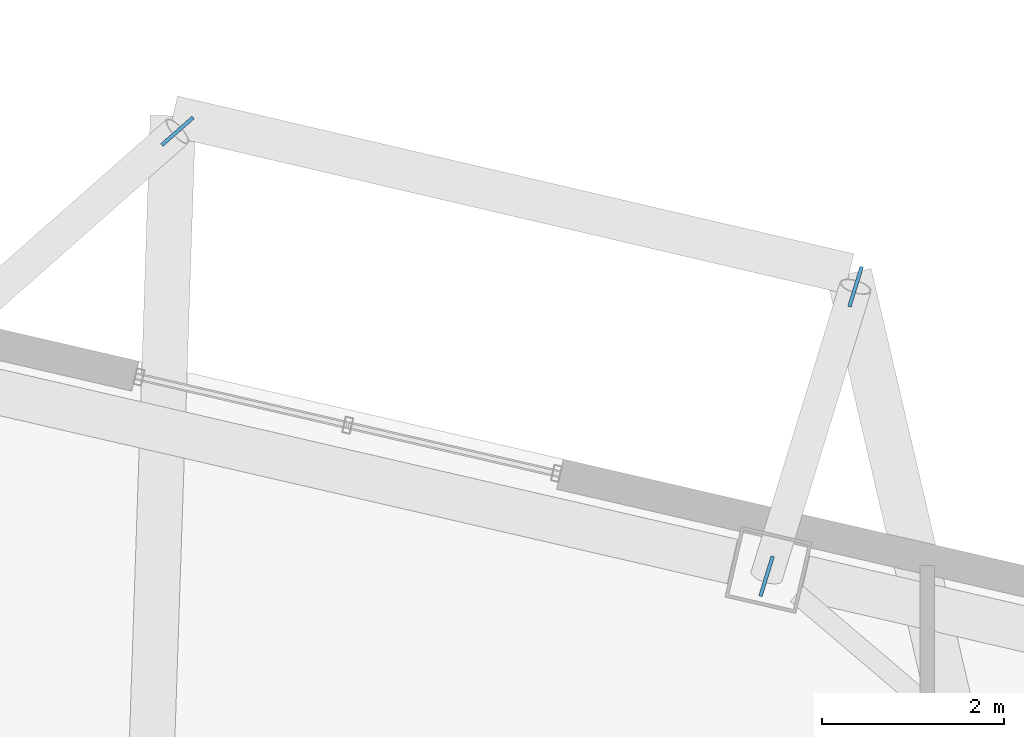
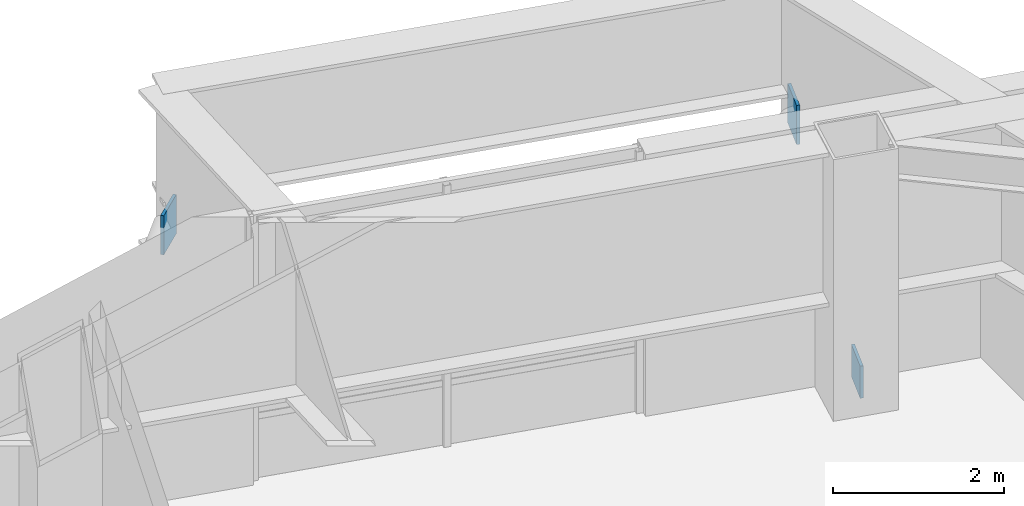
# One storey, part 17 of 21: 3 discrete accessories.
"""IFC4 building model written with IfcOpenShell, lengths in metres."""

from ifc_helpers import new_model, si_unit, direction, frame, origin, origin_2d, place, context, subcontext, project, spatial, rectangle, extrude, material, type_object, element, save


model = new_model("IFC4")

# Units and contexts
model_context = context("Model", 3, precision=1e-05, world=origin(), true_north=direction((0.0, 1.0)))
body_context = subcontext(model_context, "Body", "Model", "MODEL_VIEW")
ifc_project = project(units=[si_unit("LENGTHUNIT", "METRE"), si_unit("AREAUNIT", "SQUARE_METRE"), si_unit("VOLUMEUNIT", "CUBIC_METRE"), si_unit("PLANEANGLEUNIT", "RADIAN"), si_unit("MASSUNIT", "GRAM", prefix="KILO")], contexts=[model_context])

# Site, building, storey
site_placement = place(None, origin())
site = spatial("IfcSite", under=ifc_project, at=site_placement, CompositionType="ELEMENT")
building_placement = place(site_placement, origin())
building = spatial("IfcBuilding", under=site, at=building_placement, Name="Tavrogorsk Clinical Tower", CompositionType="ELEMENT")
storey_placement = place(building_placement, frame((0.0, 0.0, 59.39990234375)))
storey = spatial("IfcBuildingStorey", under=building, at=storey_placement, Name="L12", CompositionType="ELEMENT", Elevation=59.39990234375)

# Discrete accessories
ifc_material = material(Name="Structural steel S440", Category="steel")
discrete_accessory_type = type_object("IfcDiscreteAccessoryType", Name="GussetPlateBracket_25", PredefinedType="BRACKET", material=ifc_material)
discrete_accessory_1_placement = place(storey_placement, frame((10.944580078125, 24.021484375, 1.535888671875), z_axis=(0.0, 0.0, 1.0), x_axis=(0.749995637512, 0.66144277433, 0.0)))
element("IfcDiscreteAccessory", 1, at=discrete_accessory_1_placement, inside=storey, type_object=discrete_accessory_type, Name="L12 Brace Gusset Plate DRB-02-STRUT-L-L13-B", PredefinedType="BRACKET", context=body_context, shape_type="SweptSolid", body=[
    extrude(rectangle(XDim=0.4599609375, YDim=0.0400390625, at=origin_2d()), origin(), (0.0, 0.0, 1.0), 0.56005859375),
])
discrete_accessory_2_placement = place(storey_placement, frame((17.43212890625, 19.121337890625, 0.189208984375), z_axis=(0.0, 0.0, 1.0), x_axis=(0.293873503404, 0.955844319959, 0.0)))
element("IfcDiscreteAccessory", 2, at=discrete_accessory_2_placement, inside=storey, type_object=discrete_accessory_type, Name="L12 Brace Gusset Plate DRB-02-STRUT-R-L13-A", PredefinedType="BRACKET", context=body_context, shape_type="SweptSolid", body=[
    extrude(rectangle(XDim=0.4599609375, YDim=0.0400390625, at=origin_2d()), origin(), (0.0, 0.0, 1.0), 0.4599609375),
])
discrete_accessory_3_placement = place(storey_placement, frame((18.412109375, 22.309814453125, 1.541015625), z_axis=(0.0, 0.0, 1.0), x_axis=(0.293873503404, 0.955844319959, 0.0)))
element("IfcDiscreteAccessory", 3, at=discrete_accessory_3_placement, inside=storey, type_object=discrete_accessory_type, Name="L12 Brace Gusset Plate DRB-02-STRUT-R-L13-B", PredefinedType="BRACKET", context=body_context, shape_type="SweptSolid", body=[
    extrude(rectangle(XDim=0.4599609375, YDim=0.0400390625, at=origin_2d()), origin(), (0.0, 0.0, 1.0), 0.56005859375),
])

save(model, "model.ifc")
